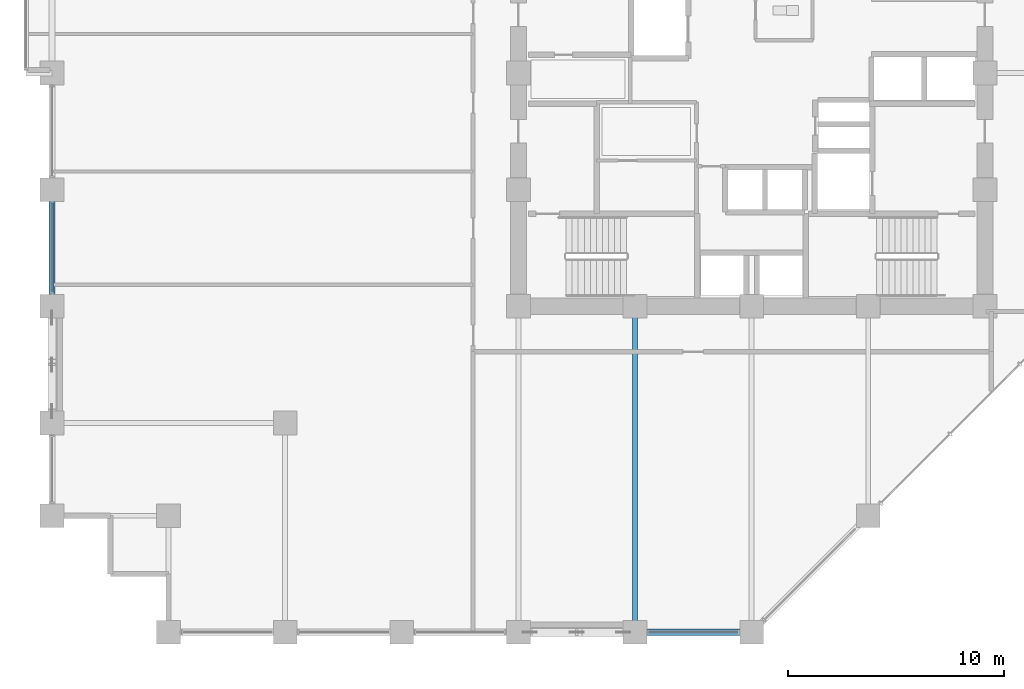
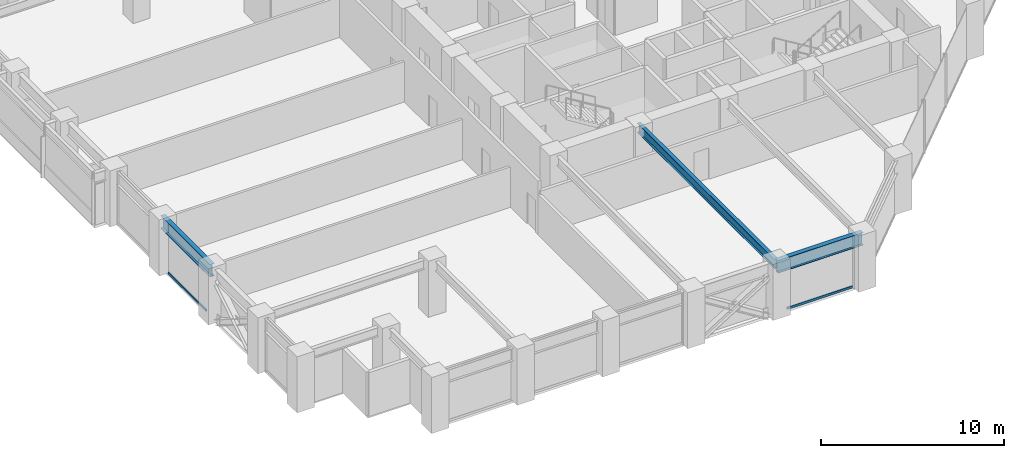
# One storey, part 5 of 25: 3 beams, 2 members, 2 elements without a shape of their own.
"""IFC4 building model written with IfcOpenShell, lengths in metres."""

from ifc_helpers import new_model, si_unit, direction, frame, origin, origin_2d, place, context, subcontext, project, spatial, hollow_rectangle, i_section, extrude, material, layer, layer_set, material_profile, profile_set, type_object, element, aggregate, save


model = new_model("IFC4")

# Units and contexts
model_context = context("Model", 3, precision=1e-05, world=origin(), true_north=direction((0.0, 1.0)))
body_context = subcontext(model_context, "Body", "Model", "MODEL_VIEW")
ifc_project = project(units=[si_unit("LENGTHUNIT", "METRE"), si_unit("AREAUNIT", "SQUARE_METRE"), si_unit("VOLUMEUNIT", "CUBIC_METRE"), si_unit("PLANEANGLEUNIT", "RADIAN"), si_unit("MASSUNIT", "GRAM", prefix="KILO")], contexts=[model_context])

# Site, building, storey
site_placement = place(None, origin())
site = spatial("IfcSite", under=ifc_project, at=site_placement, CompositionType="ELEMENT")
building_placement = place(site_placement, origin())
building = spatial("IfcBuilding", under=site, at=building_placement, Name="Surkhivell Harbour Commons", CompositionType="ELEMENT")
storey_placement = place(building_placement, frame((0.0, 0.0, 98.25)))
storey = spatial("IfcBuildingStorey", under=building, at=storey_placement, Name="L25", CompositionType="ELEMENT", Elevation=98.25)

# Beams
ifc_material_1 = material(Name="Steel S355", Category="steel")
ifc_material_profile_1 = material_profile(ifc_material_1, i_section(OverallWidth=0.22998046875, OverallDepth=0.616943359375, WebThickness=0.01318359375, FlangeThickness=0.022216796875, at=origin_2d()), Name="UB610x229x140")
ifc_profile_set_1 = profile_set([ifc_material_profile_1], Name="Steel S355")
beam_type_1 = type_object("IfcBeamType", Name="BM-GRD-610B", PredefinedType="BEAM", material=ifc_profile_set_1)
beam_1_placement = place(storey_placement, frame((-5.39990234375, -25.89990234375, 3.261474609375), z_axis=(0.0, 1.0, 0.0), x_axis=(-1.0, 0.0, 0.0)))
element("IfcBeam", 1, at=beam_1_placement, inside=storey, type_object=beam_type_1, Name="L25 Floor Girder (-5.4,-25.9)", PredefinedType="BEAM", context=body_context, shape_type="SweptSolid", body=[
    extrude(i_section(OverallWidth=0.22998046875, OverallDepth=0.616943359375, WebThickness=0.01318359375, FlangeThickness=0.022216796875, at=origin_2d()), origin(), (0.0, 0.0, 1.0), 15.099853515625),
])
ifc_material_2 = material(Name="Steel S460", Category="steel")
ifc_material_profile_2 = material_profile(ifc_material_2, i_section(OverallWidth=0.2939453125, OverallDepth=0.85107421875, WebThickness=0.01611328125, FlangeThickness=0.02685546875, at=origin_2d()), Name="UB838x292x226")
ifc_profile_set_2 = profile_set([ifc_material_profile_2], Name="Steel S460")
beam_type_2 = type_object("IfcBeamType", Name="BM-SPN-838", PredefinedType="SPANDREL", material=ifc_profile_set_2)
beam_2_placement = place(storey_placement, frame((-32.39990234375, -10.800048828125, 3.14453125), z_axis=(0.0, 1.0, 0.0), x_axis=(-1.0, 0.0, 0.0)))
element("IfcBeam", 2, at=beam_2_placement, inside=storey, type_object=beam_type_2, Name="L25 Tube Spandrel (-32.4,-10.8)", PredefinedType="SPANDREL", context=body_context, shape_type="SweptSolid", body=[
    extrude(i_section(OverallWidth=0.2939453125, OverallDepth=0.85107421875, WebThickness=0.01611328125, FlangeThickness=0.02685546875, at=origin_2d()), origin(), (0.0, 0.0, 1.0), 5.400146484375),
])
beam_3_placement = place(storey_placement, frame((-5.39990234375, -25.89990234375, 3.14453125), z_axis=(1.0, 0.0, 0.0), x_axis=(0.0, 1.0, 0.0)))
element("IfcBeam", 3, at=beam_3_placement, inside=storey, type_object=beam_type_2, Name="L25 Tube Spandrel (-5.4,-25.9)", PredefinedType="SPANDREL", context=body_context, shape_type="SweptSolid", body=[
    extrude(i_section(OverallWidth=0.2939453125, OverallDepth=0.85107421875, WebThickness=0.01611328125, FlangeThickness=0.02685546875, at=origin_2d()), origin(), (0.0, 0.0, 1.0), 5.39990234375),
])

# Curtain wall, member
ifc_material_3 = material(Name="Anodised pale-metal aluminium and insulated glazing", Category="aluminium")
ifc_layer = layer(ifc_material_3, 0.205078125)
ifc_layer_set = layer_set([ifc_layer], Name="Anodised pale-metal aluminium and insulated glazing")
curtain_wall_type = type_object("IfcCurtainWallType", Name="CW-SYS-Z2", PredefinedType="NOTDEFINED", material=ifc_layer_set)
curtain_wall_1_placement = place(storey_placement, origin())
curtain_wall_1 = element("IfcCurtainWall", 4, at=curtain_wall_1_placement, inside=storey, type_object=curtain_wall_type, Name="L25 Curtain Wall CW-L25-E00S2", PredefinedType="NOTDEFINED")
ifc_material_4 = material(Name="Anodised pale-metal aluminium alloy 6063-T6", Category="aluminium")
ifc_material_profile_3 = material_profile(ifc_material_4, hollow_rectangle(XDim=0.074951171875, YDim=0.14990234375, WallThickness=0.00341796875, at=origin_2d()), Name="ALU-TRAN-75x150")
ifc_profile_set_3 = profile_set([ifc_material_profile_3], Name="Anodised pale-metal aluminium alloy 6063-T6")
member_type = type_object("IfcMemberType", Name="CWT-150", PredefinedType="USERDEFINED", material=ifc_profile_set_3)
member_1_placement = place(storey_placement, frame((-4.77294921875, -25.89990234375, 0.074951171875), z_axis=(1.0, 0.0, 0.0), x_axis=(0.0, 1.0, 0.0)))
member_1 = element("IfcMember", 5, at=member_1_placement, type_object=member_type, Name="CW-Z2 transom 1.1", ObjectType="TRANSOM", PredefinedType="USERDEFINED", context=body_context, shape_type="SweptSolid", body=[
    extrude(hollow_rectangle(XDim=0.074951171875, YDim=0.14990234375, WallThickness=0.00341796875, at=origin_2d()), origin(), (0.0, 0.0, 1.0), 4.14599609375),
])
aggregate(curtain_wall_1, [member_1])

curtain_wall_2_placement = place(storey_placement, origin())
curtain_wall_2 = element("IfcCurtainWall", 6, at=curtain_wall_2_placement, inside=storey, type_object=curtain_wall_type, Name="L25 Curtain Wall CW-L25-E12R1S2", PredefinedType="NOTDEFINED")
member_2_placement = place(storey_placement, frame((-32.39990234375, -10.173095703125, 0.074951171875), z_axis=(0.0, 1.0, 0.0), x_axis=(-1.0, 0.0, 0.0)))
member_2 = element("IfcMember", 7, at=member_2_placement, type_object=member_type, Name="CW-Z2 transom 1.1", ObjectType="TRANSOM", PredefinedType="USERDEFINED", context=body_context, shape_type="SweptSolid", body=[
    extrude(hollow_rectangle(XDim=0.074951171875, YDim=0.14990234375, WallThickness=0.00341796875, at=origin_2d()), origin(), (0.0, 0.0, 1.0), 4.14599609375),
])
aggregate(curtain_wall_2, [member_2])

save(model, "model.ifc")
